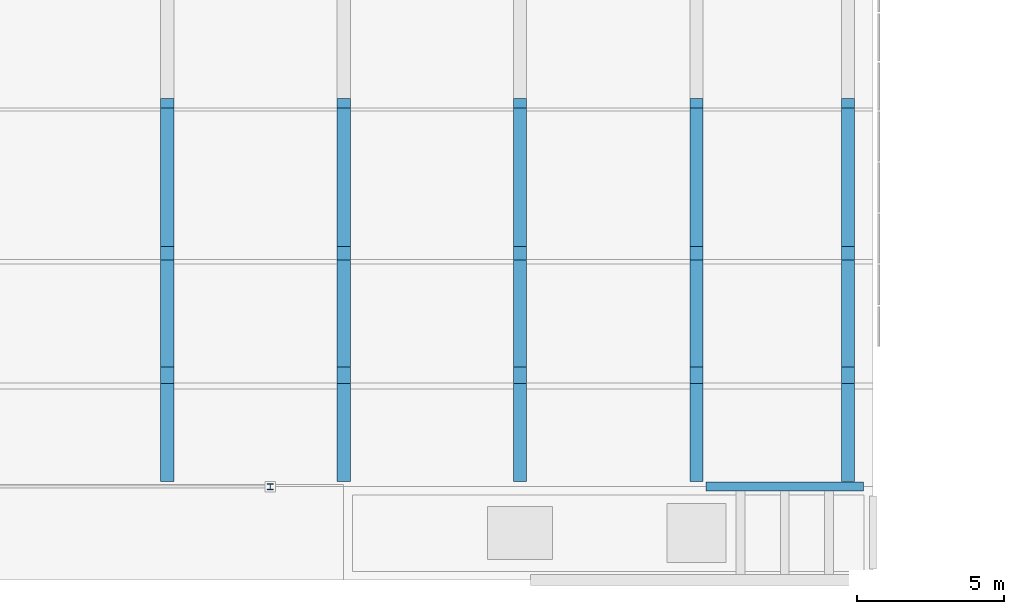
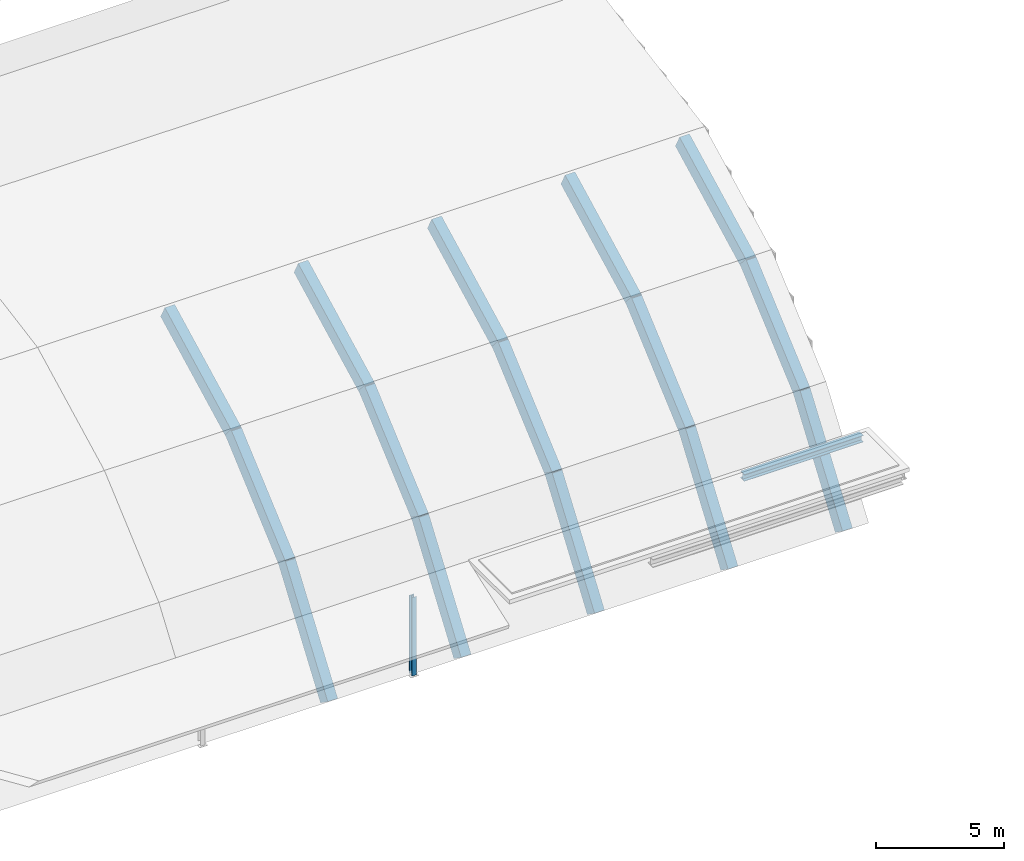
# One storey, part 17 of 42: 16 beams, 1 member.
"""IFC4 building model written with IfcOpenShell, lengths in metres."""

import ifcopenshell
import ifcopenshell.guid

model = None  # the IFC model being written
_history = None  # IfcOwnerHistory: only IFC2X3 demands one
_inside = {}  # id of a spatial element -> (the spatial element, [elements in it])
_under = {}  # id of a project, library or spatial element -> (it, [spatial elements below it])
_declared = {}  # id of a project -> (the project, [libraries it declares])
_typed = {}  # id of a type object -> (the type object, [elements of that type])
_made_of = {}  # id of a material, layer set ... -> (it, [elements and type objects made of it])


def new_model(schema):
    """Start an empty IFC model of exactly this schema.

    Asked for "IFC4X3", IfcOpenShell would pick the latest addendum, in which some entities
    have other attributes; the version numbers below select the first issue.
    IFC2X3 requires an IfcOwnerHistory on every rooted entity: one is made here for all.
    """
    global model, _history
    if schema == "IFC4X3":
        model = ifcopenshell.file(schema_version=(4, 3, 0, 0))
    else:
        model = ifcopenshell.file(schema=schema)
    _inside.clear()
    _under.clear()
    _declared.clear()
    _typed.clear()
    _made_of.clear()
    _history = None
    if model.schema == "IFC2X3":
        org = make("IfcOrganization", Name="unknown")
        user = make(
            "IfcPersonAndOrganization",
            ThePerson=make("IfcPerson", FamilyName="unknown"),
            TheOrganization=org,
        )
        app = make(
            "IfcApplication",
            ApplicationDeveloper=org,
            Version="unknown",
            ApplicationFullName="unknown",
            ApplicationIdentifier="unknown",
        )
        _history = make(
            "IfcOwnerHistory",
            OwningUser=user,
            OwningApplication=app,
            ChangeAction="ADDED",
            CreationDate=0,
        )
    return model


def make(cls, **values):
    """One entity of the class cls with the attributes given. An attribute that is None is left unset."""
    return model.create_entity(
        cls, **{name: value for name, value in values.items() if value is not None}
    )


def rooted(cls, **values):
    """An entity with a GlobalId (a new one), such as an element, a storey or a relation."""
    return make(cls, GlobalId=ifcopenshell.guid.new(), OwnerHistory=_history, **values)


def si_unit(unit_type, name, prefix=None):
    """IfcSIUnit, for example si_unit("LENGTHUNIT", "METRE", prefix="MILLI")."""
    return make("IfcSIUnit", UnitType=unit_type, Prefix=prefix, Name=name)


def assignment(units):
    """IfcUnitAssignment: the units of a project."""
    return None if units is None else make("IfcUnitAssignment", Units=units)


def point(xyz):
    """IfcCartesianPoint."""
    return None if xyz is None else make("IfcCartesianPoint", Coordinates=xyz)


def direction(xyz):
    """IfcDirection."""
    return None if xyz is None else make("IfcDirection", DirectionRatios=xyz)


def frame(location, z_axis=None, x_axis=None):
    """IfcAxis2Placement3D, a coordinate frame: its origin and axes. An axis left out is left unset."""
    return make(
        "IfcAxis2Placement3D",
        Location=point(location),
        Axis=direction(z_axis),
        RefDirection=direction(x_axis),
    )


def frame_2d(location, x_axis=None):
    """IfcAxis2Placement2D, a coordinate frame in the plane: its origin and x axis."""
    return make(
        "IfcAxis2Placement2D", Location=point(location), RefDirection=direction(x_axis)
    )


def origin():
    """The frame at (0, 0, 0) with its axes left unset."""
    return frame((0.0, 0.0, 0.0))


def origin_2d():
    """The frame at (0, 0) in the plane with its x axis left unset."""
    return frame_2d((0.0, 0.0))


def place(relative_to, where):
    """IfcLocalPlacement: puts the frame where relative to a parent placement (None: the world)."""
    return make(
        "IfcLocalPlacement", PlacementRelTo=relative_to, RelativePlacement=where
    )


def context(
    kind, dimensions, precision=None, world=None, true_north=None, identifier=None
):
    """IfcGeometricRepresentationContext, for example the 3D "Model" context."""
    return make(
        "IfcGeometricRepresentationContext",
        ContextIdentifier=identifier,
        ContextType=kind,
        CoordinateSpaceDimension=dimensions,
        Precision=precision,
        WorldCoordinateSystem=world,
        TrueNorth=true_north,
    )


def subcontext(parent, identifier, kind, view, scale=None):
    """IfcGeometricRepresentationSubContext, for example "Body" below "Model"."""
    return make(
        "IfcGeometricRepresentationSubContext",
        ContextIdentifier=identifier,
        ContextType=kind,
        ParentContext=parent,
        TargetScale=scale,
        TargetView=view,
    )


def project(units=None, contexts=None):
    """IfcProject with its units and contexts."""
    return rooted(
        "IfcProject",
        Name="project",
        RepresentationContexts=contexts,
        UnitsInContext=assignment(units),
    )


def spatial(cls, under=None, at=None, **own):
    """A site, building, storey or space (cls), placed at a placement, below another one or the project."""
    s = rooted(cls, ObjectPlacement=at, **own)
    if under is not None:
        _under.setdefault(under.id(), (under, []))[1].append(s)
    return s


def profile(cls, at=None, kind="AREA", **sizes):
    """A parametric profile (cls). Its sizes go by their IFC names, for example OverallWidth=200.0."""
    return make(cls, ProfileType=kind, Position=at, **sizes)


def rectangle(**sizes):
    """IfcRectangleProfileDef."""
    return profile("IfcRectangleProfileDef", **sizes)


def i_section(**sizes):
    """IfcIShapeProfileDef."""
    return profile("IfcIShapeProfileDef", **sizes)


def extrude(swept, where, along, depth):
    """IfcExtrudedAreaSolid: the profile swept, set in the frame where, extruded along a direction by depth."""
    return make(
        "IfcExtrudedAreaSolid",
        SweptArea=swept,
        Position=where,
        ExtrudedDirection=direction(along),
        Depth=depth,
    )


def shape(context_of_items, identifier, shape_type, items):
    """IfcShapeRepresentation: the items that make up one representation, for example the "Body"."""
    return make(
        "IfcShapeRepresentation",
        ContextOfItems=context_of_items,
        RepresentationIdentifier=identifier,
        RepresentationType=shape_type,
        Items=items,
    )


def material(Name=None, Category=None):
    """IfcMaterial."""
    return make("IfcMaterial", Name=Name, Category=Category)


def material_profile(
    of_material, cross_section, Name=None, Category=None, Priority=None
):
    """IfcMaterialProfile: a cross section and its material."""
    return make(
        "IfcMaterialProfile",
        Name=Name,
        Material=of_material,
        Profile=cross_section,
        Priority=Priority,
        Category=Category,
    )


def profile_set(profiles, Name=None, composite=None):
    """IfcMaterialProfileSet."""
    return make(
        "IfcMaterialProfileSet",
        Name=Name,
        MaterialProfiles=profiles,
        CompositeProfile=composite,
    )


def made_of(thing, what):
    """Note that an element or type object is made of a material, layer set ...; save() writes the relation."""
    if what is not None:
        _made_of.setdefault(what.id(), (what, []))[1].append(thing)
    return thing


def type_object(cls, material=None, **own):
    """A type object (cls), such as IfcWallType, which elements share."""
    return made_of(rooted(cls, **own), material)


def element(
    cls,
    number,
    at=None,
    inside=None,
    cuts=None,
    type_object=None,
    material=None,
    context=None,
    identifier="Body",
    shape_type=None,
    held_by="IfcProductDefinitionShape",
    body=None,
    shapes=None,
    **own,
):
    """One element of the class cls, such as IfcWall. Its Tag is "e" and its number.

    at: its placement. inside: the storey or other place that contains it. cuts: it is an
    opening in that element (IfcRelVoidsElement). A single representation is given by context,
    identifier, shape_type and body (its items); several are given by shapes. held_by: the class
    of the entity that holds the representations. save() writes the other relations.
    """
    e = rooted(cls, Tag="e%d" % number, ObjectPlacement=at, **own)
    if body is not None:
        shapes = [shape(context, identifier, shape_type, body)]
    if shapes is not None:
        e.Representation = make(held_by, Representations=shapes)
    if inside is not None:
        _inside.setdefault(inside.id(), (inside, []))[1].append(e)
    if cuts is not None:
        rooted(
            "IfcRelVoidsElement", RelatingBuildingElement=cuts, RelatedOpeningElement=e
        )
    if type_object is not None:
        _typed.setdefault(type_object.id(), (type_object, []))[1].append(e)
    return made_of(e, material)


def aggregate(whole, parts):
    """IfcRelAggregates: a whole, such as a stair, and the parts it consists of."""
    return rooted("IfcRelAggregates", RelatingObject=whole, RelatedObjects=parts)


def save(model, path):
    """Write the relations noted so far, then the file.

    IfcRelAggregates (storeys below a building ...), IfcRelContainedInSpatialStructure (elements
    in a storey), IfcRelDefinesByType, IfcRelAssociatesMaterial and IfcRelDeclares: one each for
    every whole, place, type object, material and project.
    """
    for whole, parts in _under.values():
        aggregate(whole, parts)
    for where, things in _inside.values():
        rooted(
            "IfcRelContainedInSpatialStructure",
            RelatedElements=things,
            RelatingStructure=where,
        )
    for kind, things in _typed.values():
        rooted("IfcRelDefinesByType", RelatedObjects=things, RelatingType=kind)
    for what, things in _made_of.values():
        rooted("IfcRelAssociatesMaterial", RelatedObjects=things, RelatingMaterial=what)
    for by, libraries in _declared.values():
        rooted("IfcRelDeclares", RelatingContext=by, RelatedDefinitions=libraries)
    model.write(path)


model = new_model("IFC4")

# Units and contexts
model_context = context("Model", 3, precision=1e-05, world=origin(), true_north=direction((0.0, 1.0)))
body_context = subcontext(model_context, "Body", "Model", "MODEL_VIEW")
ifc_project = project(units=[si_unit("LENGTHUNIT", "METRE"), si_unit("AREAUNIT", "SQUARE_METRE"), si_unit("VOLUMEUNIT", "CUBIC_METRE"), si_unit("PLANEANGLEUNIT", "RADIAN"), si_unit("MASSUNIT", "GRAM", prefix="KILO")], contexts=[model_context])

# Site, building, storey
site_placement = place(None, origin())
site = spatial("IfcSite", under=ifc_project, at=site_placement, CompositionType="ELEMENT")
building_placement = place(site_placement, origin())
building = spatial("IfcBuilding", under=site, at=building_placement, Name="Kelmvaro Bay Concert Hall", CompositionType="ELEMENT")
storey_placement = place(building_placement, frame((0.0, 0.0, 26.699951171875)))
storey = spatial("IfcBuildingStorey", under=building, at=storey_placement, Name="RF", CompositionType="ELEMENT", Elevation=26.699951171875)

# Member
ifc_material_1 = material(Name="Steel ASTM A992 Grade 50", Category="steel")
ifc_material_profile_1 = material_profile(ifc_material_1, i_section(OverallWidth=0.2041015625, OverallDepth=0.2060546875, WebThickness=0.0078125, FlangeThickness=0.0126953125, at=origin_2d()), Name="W8X35")
ifc_profile_set_1 = profile_set([ifc_material_profile_1], Name="Steel ASTM A992 Grade 50")
member_type = type_object("IfcMemberType", Name="Crystal Eave Tie Strut W8x35", PredefinedType="STRUT", material=ifc_profile_set_1)
member_placement = place(storey_placement, frame((39.5, 68.580078125, -4.514892578125), z_axis=(0.0, 0.0, 1.0), x_axis=(1.0, 0.0, 0.0)))
element("IfcMember", 1, at=member_placement, inside=storey, type_object=member_type, Name="V1 Shoulder Post 068", PredefinedType="STRUT", context=body_context, shape_type="SweptSolid", body=[
    extrude(i_section(OverallWidth=0.2041015625, OverallDepth=0.2060546875, WebThickness=0.0078125, FlangeThickness=0.0126953125, at=origin_2d()), origin(), (0.0, 0.0, 1.0), 3.73486328125),
])

# Beams
ifc_material_2 = material(Name="Concrete C40/50", Category="concrete")
ifc_material_profile_2 = material_profile(ifc_material_2, rectangle(XDim=0.449951171875, YDim=0.699951171875, at=origin_2d()), Name="RC-BM-450X700")
ifc_profile_set_2 = profile_set([ifc_material_profile_2], Name="Concrete C40/50")
beam_type_1 = type_object("IfcBeamType", Name="Perimeter Spandrel Beam RC450x700", PredefinedType="BEAM", material=ifc_profile_set_2)
beam_1_placement = place(storey_placement, frame((36.0, 69.04150390625, -4.82666015625), z_axis=(0.0, 0.577266481329, 0.816555821444), x_axis=(-1.0, 0.0, 0.0)))
element("IfcBeam", 2, at=beam_1_placement, inside=storey, type_object=beam_type_1, Name="Barrel Shell Arch Rib 07-01", PredefinedType="BEAM", context=body_context, shape_type="SweptSolid", body=[
    extrude(rectangle(XDim=0.449951171875, YDim=0.699951171875, at=origin_2d()), origin(), (0.0, 0.0, 1.0), 5.7666015625),
])
beam_2_placement = place(storey_placement, frame((36.0, 72.280517578125, -0.21728515625), z_axis=(0.0, 0.753444197978, 0.657511855811), x_axis=(-1.0, 0.0, 0.0)))
element("IfcBeam", 3, at=beam_2_placement, inside=storey, type_object=beam_type_1, Name="Barrel Shell Arch Rib 07-02", PredefinedType="BEAM", context=body_context, shape_type="SweptSolid", body=[
    extrude(rectangle(XDim=0.449951171875, YDim=0.699951171875, at=origin_2d()), origin(), (0.0, 0.0, 1.0), 5.626708984375),
])
beam_3_placement = place(storey_placement, frame((36.0, 76.408203125, 3.40625), z_axis=(0.0, 0.888139145223, 0.459574649782), x_axis=(-1.0, 0.0, 0.0)))
element("IfcBeam", 4, at=beam_3_placement, inside=storey, type_object=beam_type_1, Name="Barrel Shell Arch Rib 07-03", PredefinedType="BEAM", context=body_context, shape_type="SweptSolid", body=[
    extrude(rectangle(XDim=0.449951171875, YDim=0.699951171875, at=origin_2d()), origin(), (0.0, 0.0, 1.0), 5.865234375),
])
beam_4_placement = place(storey_placement, frame((42.0, 69.04150390625, -4.82666015625), z_axis=(0.0, 0.577266481329, 0.816555821444), x_axis=(-1.0, 0.0, 0.0)))
element("IfcBeam", 5, at=beam_4_placement, inside=storey, type_object=beam_type_1, Name="Barrel Shell Arch Rib 08-01", PredefinedType="BEAM", context=body_context, shape_type="SweptSolid", body=[
    extrude(rectangle(XDim=0.449951171875, YDim=0.699951171875, at=origin_2d()), origin(), (0.0, 0.0, 1.0), 5.7666015625),
])
beam_5_placement = place(storey_placement, frame((42.0, 72.280517578125, -0.21728515625), z_axis=(0.0, 0.753444197978, 0.657511855811), x_axis=(-1.0, 0.0, 0.0)))
element("IfcBeam", 6, at=beam_5_placement, inside=storey, type_object=beam_type_1, Name="Barrel Shell Arch Rib 08-02", PredefinedType="BEAM", context=body_context, shape_type="SweptSolid", body=[
    extrude(rectangle(XDim=0.449951171875, YDim=0.699951171875, at=origin_2d()), origin(), (0.0, 0.0, 1.0), 5.626708984375),
])
beam_6_placement = place(storey_placement, frame((42.0, 76.408203125, 3.40625), z_axis=(0.0, 0.888139145223, 0.459574649782), x_axis=(-1.0, 0.0, 0.0)))
element("IfcBeam", 7, at=beam_6_placement, inside=storey, type_object=beam_type_1, Name="Barrel Shell Arch Rib 08-03", PredefinedType="BEAM", context=body_context, shape_type="SweptSolid", body=[
    extrude(rectangle(XDim=0.449951171875, YDim=0.699951171875, at=origin_2d()), origin(), (0.0, 0.0, 1.0), 5.865234375),
])
beam_7_placement = place(storey_placement, frame((48.0, 69.04150390625, -4.82666015625), z_axis=(0.0, 0.577266481329, 0.816555821444), x_axis=(-1.0, 0.0, 0.0)))
element("IfcBeam", 8, at=beam_7_placement, inside=storey, type_object=beam_type_1, Name="Barrel Shell Arch Rib 09-01", PredefinedType="BEAM", context=body_context, shape_type="SweptSolid", body=[
    extrude(rectangle(XDim=0.449951171875, YDim=0.699951171875, at=origin_2d()), origin(), (0.0, 0.0, 1.0), 5.7666015625),
])
beam_8_placement = place(storey_placement, frame((48.0, 72.280517578125, -0.21728515625), z_axis=(0.0, 0.753444197978, 0.657511855811), x_axis=(-1.0, 0.0, 0.0)))
element("IfcBeam", 9, at=beam_8_placement, inside=storey, type_object=beam_type_1, Name="Barrel Shell Arch Rib 09-02", PredefinedType="BEAM", context=body_context, shape_type="SweptSolid", body=[
    extrude(rectangle(XDim=0.449951171875, YDim=0.699951171875, at=origin_2d()), origin(), (0.0, 0.0, 1.0), 5.626708984375),
])
beam_9_placement = place(storey_placement, frame((48.0, 76.408203125, 3.40625), z_axis=(0.0, 0.888139145223, 0.459574649782), x_axis=(-1.0, 0.0, 0.0)))
element("IfcBeam", 10, at=beam_9_placement, inside=storey, type_object=beam_type_1, Name="Barrel Shell Arch Rib 09-03", PredefinedType="BEAM", context=body_context, shape_type="SweptSolid", body=[
    extrude(rectangle(XDim=0.449951171875, YDim=0.699951171875, at=origin_2d()), origin(), (0.0, 0.0, 1.0), 5.865234375),
])
beam_10_placement = place(storey_placement, frame((54.0, 69.04150390625, -4.82666015625), z_axis=(0.0, 0.577266481329, 0.816555821444), x_axis=(-1.0, 0.0, 0.0)))
element("IfcBeam", 11, at=beam_10_placement, inside=storey, type_object=beam_type_1, Name="Barrel Shell Arch Rib 10-01", PredefinedType="BEAM", context=body_context, shape_type="SweptSolid", body=[
    extrude(rectangle(XDim=0.449951171875, YDim=0.699951171875, at=origin_2d()), origin(), (0.0, 0.0, 1.0), 5.7666015625),
])
beam_11_placement = place(storey_placement, frame((54.0, 72.280517578125, -0.21728515625), z_axis=(0.0, 0.753444197978, 0.657511855811), x_axis=(-1.0, 0.0, 0.0)))
element("IfcBeam", 12, at=beam_11_placement, inside=storey, type_object=beam_type_1, Name="Barrel Shell Arch Rib 10-02", PredefinedType="BEAM", context=body_context, shape_type="SweptSolid", body=[
    extrude(rectangle(XDim=0.449951171875, YDim=0.699951171875, at=origin_2d()), origin(), (0.0, 0.0, 1.0), 5.626708984375),
])
beam_12_placement = place(storey_placement, frame((54.0, 76.408203125, 3.40625), z_axis=(0.0, 0.888139145223, 0.459574649782), x_axis=(-1.0, 0.0, 0.0)))
element("IfcBeam", 13, at=beam_12_placement, inside=storey, type_object=beam_type_1, Name="Barrel Shell Arch Rib 10-03", PredefinedType="BEAM", context=body_context, shape_type="SweptSolid", body=[
    extrude(rectangle(XDim=0.449951171875, YDim=0.699951171875, at=origin_2d()), origin(), (0.0, 0.0, 1.0), 5.865234375),
])
beam_13_placement = place(storey_placement, frame((59.14990234375, 69.04150390625, -4.82666015625), z_axis=(0.0, 0.577266481329, 0.816555821444), x_axis=(-1.0, 0.0, 0.0)))
element("IfcBeam", 14, at=beam_13_placement, inside=storey, type_object=beam_type_1, Name="Barrel Shell Arch Rib 11-01", PredefinedType="BEAM", context=body_context, shape_type="SweptSolid", body=[
    extrude(rectangle(XDim=0.449951171875, YDim=0.699951171875, at=origin_2d()), origin(), (0.0, 0.0, 1.0), 5.7666015625),
])
beam_14_placement = place(storey_placement, frame((59.14990234375, 72.280517578125, -0.21728515625), z_axis=(0.0, 0.753444197978, 0.657511855811), x_axis=(-1.0, 0.0, 0.0)))
element("IfcBeam", 15, at=beam_14_placement, inside=storey, type_object=beam_type_1, Name="Barrel Shell Arch Rib 11-02", PredefinedType="BEAM", context=body_context, shape_type="SweptSolid", body=[
    extrude(rectangle(XDim=0.449951171875, YDim=0.699951171875, at=origin_2d()), origin(), (0.0, 0.0, 1.0), 5.626708984375),
])
beam_15_placement = place(storey_placement, frame((59.14990234375, 76.408203125, 3.40625), z_axis=(0.0, 0.888139145223, 0.459574649782), x_axis=(-1.0, 0.0, 0.0)))
element("IfcBeam", 16, at=beam_15_placement, inside=storey, type_object=beam_type_1, Name="Barrel Shell Arch Rib 11-03", PredefinedType="BEAM", context=body_context, shape_type="SweptSolid", body=[
    extrude(rectangle(XDim=0.449951171875, YDim=0.699951171875, at=origin_2d()), origin(), (0.0, 0.0, 1.0), 5.865234375),
])
ifc_material_3 = material(Name="Steel ASTM A992 Grade 50", Category="steel")
ifc_material_profile_3 = material_profile(ifc_material_3, i_section(OverallWidth=0.306884765625, OverallDepth=0.318115234375, WebThickness=0.01318359375, FlangeThickness=0.0205078125, at=origin_2d()), Name="W12X87")
ifc_profile_set_3 = profile_set([ifc_material_profile_3], Name="Steel ASTM A992 Grade 50")
beam_type_2 = type_object("IfcBeamType", Name="Roof Hatch Trimmer Beam W12x87", PredefinedType="BEAM", material=ifc_profile_set_3)
beam_16_placement = place(storey_placement, frame((54.324951171875, 68.580078125, -0.2890625), z_axis=(1.0, 0.0, 0.0), x_axis=(0.0, 1.0, 0.0)))
element("IfcBeam", 17, at=beam_16_placement, inside=storey, type_object=beam_type_2, Name="RF Girder BM-RF-EW-1972", PredefinedType="BEAM", context=body_context, shape_type="SweptSolid", body=[
    extrude(i_section(OverallWidth=0.306884765625, OverallDepth=0.318115234375, WebThickness=0.01318359375, FlangeThickness=0.0205078125, at=origin_2d()), origin(), (0.0, 0.0, 1.0), 5.35009765625),
])

save(model, "model.ifc")
